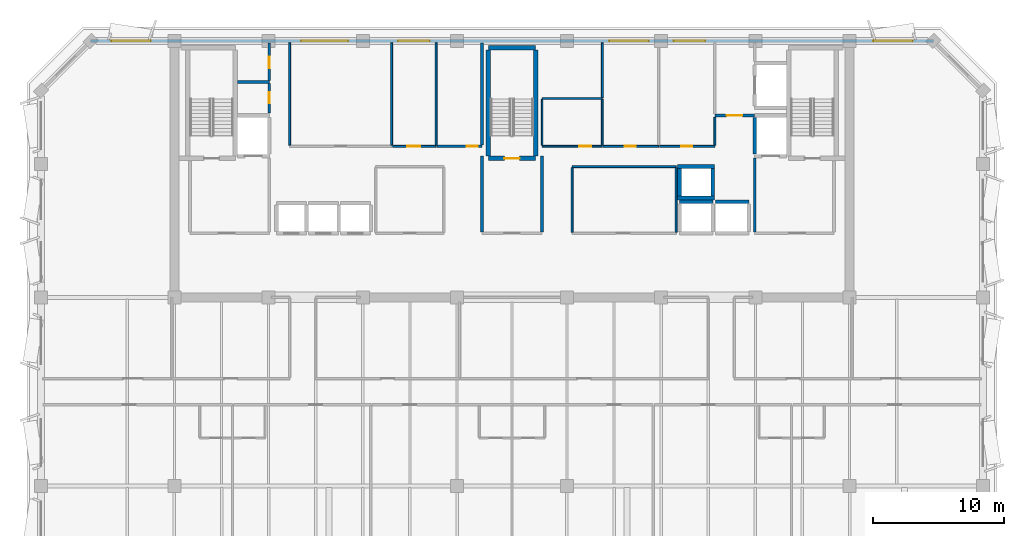
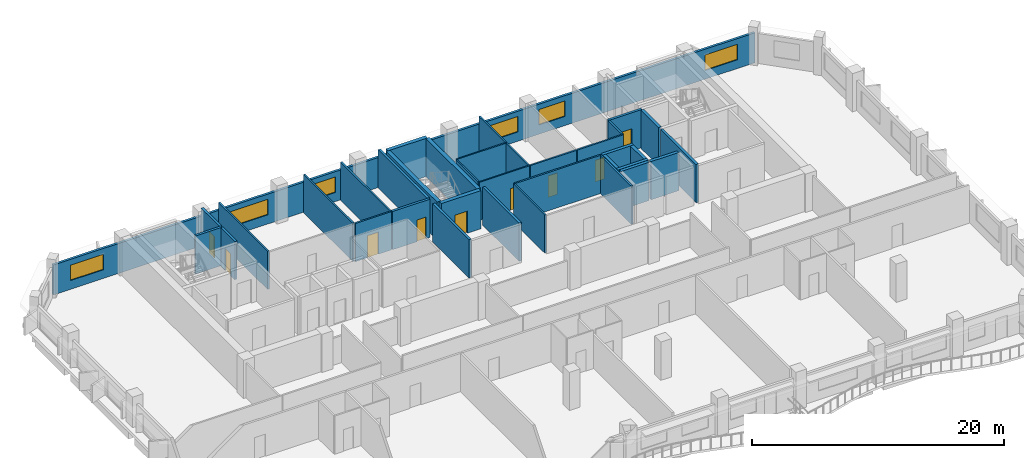
# One storey, part 6 of 11: 36 walls, 9 doors, 6 windows, 15 openings.
"""IFC4 building model written with IfcOpenShell, lengths in metres."""

import ifcopenshell
import ifcopenshell.guid

model = None  # the IFC model being written
_history = None  # IfcOwnerHistory: only IFC2X3 demands one
_inside = {}  # id of a spatial element -> (the spatial element, [elements in it])
_under = {}  # id of a project, library or spatial element -> (it, [spatial elements below it])
_declared = {}  # id of a project -> (the project, [libraries it declares])
_typed = {}  # id of a type object -> (the type object, [elements of that type])
_made_of = {}  # id of a material, layer set ... -> (it, [elements and type objects made of it])


def new_model(schema):
    """Start an empty IFC model of exactly this schema.

    Asked for "IFC4X3", IfcOpenShell would pick the latest addendum, in which some entities
    have other attributes; the version numbers below select the first issue.
    IFC2X3 requires an IfcOwnerHistory on every rooted entity: one is made here for all.
    """
    global model, _history
    if schema == "IFC4X3":
        model = ifcopenshell.file(schema_version=(4, 3, 0, 0))
    else:
        model = ifcopenshell.file(schema=schema)
    _inside.clear()
    _under.clear()
    _declared.clear()
    _typed.clear()
    _made_of.clear()
    _history = None
    if model.schema == "IFC2X3":
        org = make("IfcOrganization", Name="unknown")
        user = make(
            "IfcPersonAndOrganization",
            ThePerson=make("IfcPerson", FamilyName="unknown"),
            TheOrganization=org,
        )
        app = make(
            "IfcApplication",
            ApplicationDeveloper=org,
            Version="unknown",
            ApplicationFullName="unknown",
            ApplicationIdentifier="unknown",
        )
        _history = make(
            "IfcOwnerHistory",
            OwningUser=user,
            OwningApplication=app,
            ChangeAction="ADDED",
            CreationDate=0,
        )
    return model


def make(cls, **values):
    """One entity of the class cls with the attributes given. An attribute that is None is left unset."""
    return model.create_entity(
        cls, **{name: value for name, value in values.items() if value is not None}
    )


def rooted(cls, **values):
    """An entity with a GlobalId (a new one), such as an element, a storey or a relation."""
    return make(cls, GlobalId=ifcopenshell.guid.new(), OwnerHistory=_history, **values)


def si_unit(unit_type, name, prefix=None):
    """IfcSIUnit, for example si_unit("LENGTHUNIT", "METRE", prefix="MILLI")."""
    return make("IfcSIUnit", UnitType=unit_type, Prefix=prefix, Name=name)


def assignment(units):
    """IfcUnitAssignment: the units of a project."""
    return None if units is None else make("IfcUnitAssignment", Units=units)


def point(xyz):
    """IfcCartesianPoint."""
    return None if xyz is None else make("IfcCartesianPoint", Coordinates=xyz)


def direction(xyz):
    """IfcDirection."""
    return None if xyz is None else make("IfcDirection", DirectionRatios=xyz)


def frame(location, z_axis=None, x_axis=None):
    """IfcAxis2Placement3D, a coordinate frame: its origin and axes. An axis left out is left unset."""
    return make(
        "IfcAxis2Placement3D",
        Location=point(location),
        Axis=direction(z_axis),
        RefDirection=direction(x_axis),
    )


def frame_2d(location, x_axis=None):
    """IfcAxis2Placement2D, a coordinate frame in the plane: its origin and x axis."""
    return make(
        "IfcAxis2Placement2D", Location=point(location), RefDirection=direction(x_axis)
    )


def origin():
    """The frame at (0, 0, 0) with its axes left unset."""
    return frame((0.0, 0.0, 0.0))


def place(relative_to, where):
    """IfcLocalPlacement: puts the frame where relative to a parent placement (None: the world)."""
    return make(
        "IfcLocalPlacement", PlacementRelTo=relative_to, RelativePlacement=where
    )


def context(
    kind, dimensions, precision=None, world=None, true_north=None, identifier=None
):
    """IfcGeometricRepresentationContext, for example the 3D "Model" context."""
    return make(
        "IfcGeometricRepresentationContext",
        ContextIdentifier=identifier,
        ContextType=kind,
        CoordinateSpaceDimension=dimensions,
        Precision=precision,
        WorldCoordinateSystem=world,
        TrueNorth=true_north,
    )


def subcontext(parent, identifier, kind, view, scale=None):
    """IfcGeometricRepresentationSubContext, for example "Body" below "Model"."""
    return make(
        "IfcGeometricRepresentationSubContext",
        ContextIdentifier=identifier,
        ContextType=kind,
        ParentContext=parent,
        TargetScale=scale,
        TargetView=view,
    )


def project(units=None, contexts=None):
    """IfcProject with its units and contexts."""
    return rooted(
        "IfcProject",
        Name="project",
        RepresentationContexts=contexts,
        UnitsInContext=assignment(units),
    )


def spatial(cls, under=None, at=None, **own):
    """A site, building, storey or space (cls), placed at a placement, below another one or the project."""
    s = rooted(cls, ObjectPlacement=at, **own)
    if under is not None:
        _under.setdefault(under.id(), (under, []))[1].append(s)
    return s


def profile(cls, at=None, kind="AREA", **sizes):
    """A parametric profile (cls). Its sizes go by their IFC names, for example OverallWidth=200.0."""
    return make(cls, ProfileType=kind, Position=at, **sizes)


def rectangle(**sizes):
    """IfcRectangleProfileDef."""
    return profile("IfcRectangleProfileDef", **sizes)


def extrude(swept, where, along, depth):
    """IfcExtrudedAreaSolid: the profile swept, set in the frame where, extruded along a direction by depth."""
    return make(
        "IfcExtrudedAreaSolid",
        SweptArea=swept,
        Position=where,
        ExtrudedDirection=direction(along),
        Depth=depth,
    )


def shape(context_of_items, identifier, shape_type, items):
    """IfcShapeRepresentation: the items that make up one representation, for example the "Body"."""
    return make(
        "IfcShapeRepresentation",
        ContextOfItems=context_of_items,
        RepresentationIdentifier=identifier,
        RepresentationType=shape_type,
        Items=items,
    )


def material(Name=None, Category=None):
    """IfcMaterial."""
    return make("IfcMaterial", Name=Name, Category=Category)


def layer(
    of_material, thickness, ventilated=None, Name=None, Category=None, Priority=None
):
    """IfcMaterialLayer: one layer of a wall or slab, of a material (None: an air gap)."""
    return make(
        "IfcMaterialLayer",
        Material=of_material,
        LayerThickness=thickness,
        IsVentilated=ventilated,
        Name=Name,
        Category=Category,
        Priority=Priority,
    )


def layer_set(layers, Name=None):
    """IfcMaterialLayerSet."""
    return make("IfcMaterialLayerSet", MaterialLayers=layers, LayerSetName=Name)


def made_of(thing, what):
    """Note that an element or type object is made of a material, layer set ...; save() writes the relation."""
    if what is not None:
        _made_of.setdefault(what.id(), (what, []))[1].append(thing)
    return thing


def type_object(cls, material=None, **own):
    """A type object (cls), such as IfcWallType, which elements share."""
    return made_of(rooted(cls, **own), material)


def element(
    cls,
    number,
    at=None,
    inside=None,
    cuts=None,
    type_object=None,
    material=None,
    context=None,
    identifier="Body",
    shape_type=None,
    held_by="IfcProductDefinitionShape",
    body=None,
    shapes=None,
    **own,
):
    """One element of the class cls, such as IfcWall. Its Tag is "e" and its number.

    at: its placement. inside: the storey or other place that contains it. cuts: it is an
    opening in that element (IfcRelVoidsElement). A single representation is given by context,
    identifier, shape_type and body (its items); several are given by shapes. held_by: the class
    of the entity that holds the representations. save() writes the other relations.
    """
    e = rooted(cls, Tag="e%d" % number, ObjectPlacement=at, **own)
    if body is not None:
        shapes = [shape(context, identifier, shape_type, body)]
    if shapes is not None:
        e.Representation = make(held_by, Representations=shapes)
    if inside is not None:
        _inside.setdefault(inside.id(), (inside, []))[1].append(e)
    if cuts is not None:
        rooted(
            "IfcRelVoidsElement", RelatingBuildingElement=cuts, RelatedOpeningElement=e
        )
    if type_object is not None:
        _typed.setdefault(type_object.id(), (type_object, []))[1].append(e)
    return made_of(e, material)


def fill(opening, filler):
    """IfcRelFillsElement: the door or window that sits in an opening."""
    return rooted(
        "IfcRelFillsElement",
        RelatingOpeningElement=opening,
        RelatedBuildingElement=filler,
    )


def aggregate(whole, parts):
    """IfcRelAggregates: a whole, such as a stair, and the parts it consists of."""
    return rooted("IfcRelAggregates", RelatingObject=whole, RelatedObjects=parts)


def save(model, path):
    """Write the relations noted so far, then the file.

    IfcRelAggregates (storeys below a building ...), IfcRelContainedInSpatialStructure (elements
    in a storey), IfcRelDefinesByType, IfcRelAssociatesMaterial and IfcRelDeclares: one each for
    every whole, place, type object, material and project.
    """
    for whole, parts in _under.values():
        aggregate(whole, parts)
    for where, things in _inside.values():
        rooted(
            "IfcRelContainedInSpatialStructure",
            RelatedElements=things,
            RelatingStructure=where,
        )
    for kind, things in _typed.values():
        rooted("IfcRelDefinesByType", RelatedObjects=things, RelatingType=kind)
    for what, things in _made_of.values():
        rooted("IfcRelAssociatesMaterial", RelatedObjects=things, RelatingMaterial=what)
    for by, libraries in _declared.values():
        rooted("IfcRelDeclares", RelatingContext=by, RelatedDefinitions=libraries)
    model.write(path)


model = new_model("IFC4")

# Units and contexts
model_context = context("Model", 3, precision=1e-05, world=origin(), true_north=direction((0.0, 1.0)))
body_context = subcontext(model_context, "Body", "Model", "MODEL_VIEW")
ifc_project = project(units=[si_unit("LENGTHUNIT", "METRE"), si_unit("AREAUNIT", "SQUARE_METRE"), si_unit("VOLUMEUNIT", "CUBIC_METRE"), si_unit("PLANEANGLEUNIT", "RADIAN"), si_unit("MASSUNIT", "GRAM", prefix="KILO")], contexts=[model_context])

# Site, building, storey
site_placement = place(None, origin())
site = spatial("IfcSite", under=ifc_project, at=site_placement, CompositionType="ELEMENT")
building_placement = place(site_placement, origin())
building = spatial("IfcBuilding", under=site, at=building_placement, Name="Kaelvorn Grand Hotel", CompositionType="ELEMENT")
storey_placement = place(building_placement, frame((0.0, 0.0, 256.800048828125)))
storey = spatial("IfcBuildingStorey", under=building, at=storey_placement, Name="L63", CompositionType="ELEMENT", Elevation=256.800048828125)

# Wall, openings, windows
ifc_material_1 = material(Name="Concrete C40/50", Category="concrete")
ifc_layer_1 = layer(ifc_material_1, 0.219970703125)
ifc_layer_set_1 = layer_set([ifc_layer_1], Name="Concrete C40/50")
wall_type_1 = type_object("IfcWallType", Name="WL-EXT-220-C40", PredefinedType="SOLIDWALL", material=ifc_layer_set_1)
wall_1_placement = place(storey_placement, frame((74.199951171875, 49.0, 0.0), z_axis=(0.0, 0.0, 1.0), x_axis=(-1.0, 0.0, 0.0)))
wall_1 = element("IfcWall", 1, at=wall_1_placement, inside=storey, type_object=wall_type_1, Name="L63 Exterior Architectural Concrete Wall 05", PredefinedType="SOLIDWALL", context=body_context, shape_type="SweptSolid", body=[
    extrude(rectangle(XDim=64.39990234375, YDim=0.219970703125, at=frame_2d((32.199951171875, 0.0))), origin(), (0.0, 0.0, 1.0), 2.909912109375),
])
opening_1_placement = place(wall_1_placement, frame((59.81494140625, 0.0, 0.85009765625)))
opening_1 = element("IfcOpeningElement", 2, at=opening_1_placement, cuts=wall_1, Name="Opening W5", PredefinedType="OPENING", context=body_context, shape_type="SweptSolid", body=[
    extrude(rectangle(XDim=3.0, YDim=1.5, at=frame_2d((1.5, 0.75))), frame((0.0, 0.1201171875, 0.0), z_axis=(0.0, -1.0, 0.0), x_axis=(1.0, 0.0, 0.0)), (0.0, 0.0, 1.0), 0.239990234375),
])
opening_2_placement = place(wall_1_placement, frame((1.5849609375, 0.0, 0.85009765625)))
opening_2 = element("IfcOpeningElement", 3, at=opening_2_placement, cuts=wall_1, Name="Opening W5", PredefinedType="OPENING", context=body_context, shape_type="SweptSolid", body=[
    extrude(rectangle(XDim=3.0, YDim=1.5, at=frame_2d((1.5, 0.75))), frame((0.0, 0.1201171875, 0.0), z_axis=(0.0, -1.0, 0.0), x_axis=(1.0, 0.0, 0.0)), (0.0, 0.0, 1.0), 0.239990234375),
])
opening_3_placement = place(wall_1_placement, frame((44.715087890625, 0.0, 0.89990234375)))
opening_3 = element("IfcOpeningElement", 4, at=opening_3_placement, cuts=wall_1, Name="Opening W3", PredefinedType="OPENING", context=body_context, shape_type="SweptSolid", body=[
    extrude(rectangle(XDim=3.60009765625, YDim=1.5, at=frame_2d((1.800048828125, 0.75))), frame((0.0, 0.1201171875, 0.0), z_axis=(0.0, -1.0, 0.0), x_axis=(1.0, 0.0, 0.0)), (0.0, 0.0, 1.0), 0.239990234375),
])
opening_4_placement = place(wall_1_placement, frame((38.5, 0.0, 0.89990234375)))
opening_4 = element("IfcOpeningElement", 5, at=opening_4_placement, cuts=wall_1, Name="Opening W6", PredefinedType="OPENING", context=body_context, shape_type="SweptSolid", body=[
    extrude(rectangle(XDim=2.39990234375, YDim=1.5, at=frame_2d((1.199951171875, 0.75))), frame((0.0, 0.1201171875, 0.0), z_axis=(0.0, -1.0, 0.0), x_axis=(1.0, 0.0, 0.0)), (0.0, 0.0, 1.0), 0.239990234375),
])
opening_5_placement = place(wall_1_placement, frame((21.75, 0.0, 0.89990234375)))
opening_5 = element("IfcOpeningElement", 6, at=opening_5_placement, cuts=wall_1, Name="Opening W5", PredefinedType="OPENING", context=body_context, shape_type="SweptSolid", body=[
    extrude(rectangle(XDim=3.0, YDim=1.5, at=frame_2d((1.5, 0.75))), frame((0.0, 0.1201171875, 0.0), z_axis=(0.0, -1.0, 0.0), x_axis=(1.0, 0.0, 0.0)), (0.0, 0.0, 1.0), 0.239990234375),
])
opening_6_placement = place(wall_1_placement, frame((17.43505859375, 0.0, 0.89990234375)))
opening_6 = element("IfcOpeningElement", 7, at=opening_6_placement, cuts=wall_1, Name="Opening W6", PredefinedType="OPENING", context=body_context, shape_type="SweptSolid", body=[
    extrude(rectangle(XDim=2.39990234375, YDim=1.5, at=frame_2d((1.199951171875, 0.75))), frame((0.0, 0.1201171875, 0.0), z_axis=(0.0, -1.0, 0.0), x_axis=(1.0, 0.0, 0.0)), (0.0, 0.0, 1.0), 0.239990234375),
])
ifc_material_2 = material(Name="Laminated Low-E Glass", Category="glass")
window_type_1 = type_object("IfcWindowType", Name="WIN-NTH-2400x1500", PartitioningType="SINGLE_PANEL", PredefinedType="WINDOW", material=ifc_material_2)
window_1_placement = place(opening_4_placement, origin())
window_1 = element("IfcWindow", 8, at=window_1_placement, inside=storey, type_object=window_type_1, Name="L63 North Core Clerestory Ribbon Window NC04", OverallHeight=1.5, OverallWidth=2.39990234375, PartitioningType="SINGLE_PANEL", PredefinedType="WINDOW", context=body_context, shape_type="SweptSolid", body=[
    extrude(rectangle(XDim=2.39990234375, YDim=1.5, at=frame_2d((1.199951171875, 0.75))), frame((0.0, 0.030029296875, 0.0), z_axis=(0.0, -1.0, 0.0), x_axis=(1.0, 0.0, 0.0)), (0.0, 0.0, 1.0), 0.06005859375),
])
fill(opening_4, window_1)
window_2_placement = place(opening_6_placement, origin())
window_2 = element("IfcWindow", 9, at=window_2_placement, inside=storey, type_object=window_type_1, Name="L63 North Core Clerestory Ribbon Window NC06", OverallHeight=1.5, OverallWidth=2.39990234375, PartitioningType="SINGLE_PANEL", PredefinedType="WINDOW", context=body_context, shape_type="SweptSolid", body=[
    extrude(rectangle(XDim=2.39990234375, YDim=1.5, at=frame_2d((1.199951171875, 0.75))), frame((0.0, 0.030029296875, 0.0), z_axis=(0.0, -1.0, 0.0), x_axis=(1.0, 0.0, 0.0)), (0.0, 0.0, 1.0), 0.06005859375),
])
fill(opening_6, window_2)
window_type_2 = type_object("IfcWindowType", Name="WIN-NTH-3000x1500", PartitioningType="SINGLE_PANEL", PredefinedType="WINDOW", material=ifc_material_2)
window_3_placement = place(opening_1_placement, origin())
window_3 = element("IfcWindow", 10, at=window_3_placement, inside=storey, type_object=window_type_2, Name="L63 North Wing Ribbon Window NW01", OverallHeight=1.5, OverallWidth=3.0, PartitioningType="SINGLE_PANEL", PredefinedType="WINDOW", context=body_context, shape_type="SweptSolid", body=[
    extrude(rectangle(XDim=3.0, YDim=1.5, at=frame_2d((1.5, 0.75))), frame((0.0, 0.030029296875, 0.0), z_axis=(0.0, -1.0, 0.0), x_axis=(1.0, 0.0, 0.0)), (0.0, 0.0, 1.0), 0.06005859375),
])
fill(opening_1, window_3)
window_4_placement = place(opening_2_placement, origin())
window_4 = element("IfcWindow", 11, at=window_4_placement, inside=storey, type_object=window_type_2, Name="L63 North Wing Ribbon Window NW02", OverallHeight=1.5, OverallWidth=3.0, PartitioningType="SINGLE_PANEL", PredefinedType="WINDOW", context=body_context, shape_type="SweptSolid", body=[
    extrude(rectangle(XDim=3.0, YDim=1.5, at=frame_2d((1.5, 0.75))), frame((0.0, 0.030029296875, 0.0), z_axis=(0.0, -1.0, 0.0), x_axis=(1.0, 0.0, 0.0)), (0.0, 0.0, 1.0), 0.06005859375),
])
fill(opening_2, window_4)
window_5_placement = place(opening_5_placement, origin())
window_5 = element("IfcWindow", 12, at=window_5_placement, inside=storey, type_object=window_type_2, Name="L63 North Core Clerestory Ribbon Window NC05", OverallHeight=1.5, OverallWidth=3.0, PartitioningType="SINGLE_PANEL", PredefinedType="WINDOW", context=body_context, shape_type="SweptSolid", body=[
    extrude(rectangle(XDim=3.0, YDim=1.5, at=frame_2d((1.5, 0.75))), frame((0.0, 0.030029296875, 0.0), z_axis=(0.0, -1.0, 0.0), x_axis=(1.0, 0.0, 0.0)), (0.0, 0.0, 1.0), 0.06005859375),
])
fill(opening_5, window_5)
window_type_3 = type_object("IfcWindowType", Name="WIN-RIB-3600x1750", PartitioningType="SINGLE_PANEL", PredefinedType="WINDOW", material=ifc_material_2)
window_6_placement = place(opening_3_placement, origin())
window_6 = element("IfcWindow", 13, at=window_6_placement, inside=storey, type_object=window_type_3, Name="L63 North Core Clerestory Ribbon Window NC03", OverallHeight=1.5, OverallWidth=3.60009765625, PartitioningType="SINGLE_PANEL", PredefinedType="WINDOW", context=body_context, shape_type="SweptSolid", body=[
    extrude(rectangle(XDim=3.60009765625, YDim=1.5, at=frame_2d((1.800048828125, 0.75))), frame((0.0, 0.030029296875, 0.0), z_axis=(0.0, -1.0, 0.0), x_axis=(1.0, 0.0, 0.0)), (0.0, 0.0, 1.0), 0.06005859375),
])
fill(opening_3, window_6)

# Wall, opening, door
ifc_material_3 = material(Name="Moisture-Resistant Tile & Stud Board")
ifc_layer_2 = layer(ifc_material_3, 0.125)
ifc_layer_set_2 = layer_set([ifc_layer_2], Name="Moisture-Resistant Tile & Stud Board")
wall_type_2 = type_object("IfcWallType", Name="WL-PART-125-WET", PredefinedType="PARTITIONING", material=ifc_layer_set_2)
wall_2_placement = place(storey_placement, frame((44.300048828125, 40.949951171875, 0.0), z_axis=(0.0, 0.0, 1.0), x_axis=(1.0, 0.0, 0.0)))
wall_2 = element("IfcWall", 14, at=wall_2_placement, inside=storey, type_object=wall_type_2, Name="L63 Accessible WC S Partition", PredefinedType="PARTITIONING", context=body_context, shape_type="SweptSolid", body=[
    extrude(rectangle(XDim=4.599853515625, YDim=0.125, at=frame_2d((2.2998046875, 0.0))), origin(), (0.0, 0.0, 1.0), 3.7099609375),
])
opening_7_placement = place(wall_2_placement, frame((2.85009765625, 0.0, 0.0)))
opening_7 = element("IfcOpeningElement", 15, at=opening_7_placement, cuts=wall_2, Name="Opening DI4", PredefinedType="OPENING", context=body_context, shape_type="SweptSolid", body=[
    extrude(rectangle(XDim=0.89990234375, YDim=2.10009765625, at=frame_2d((0.449951171875, 1.050048828125))), frame((0.0, 0.072509765625, 0.0), z_axis=(0.0, -1.0, 0.0), x_axis=(1.0, 0.0, 0.0)), (0.0, 0.0, 1.0), 0.14501953125),
])
ifc_material_4 = material(Name="Timber Veneer Leaf", Category="wood")
door_type_1 = type_object("IfcDoorType", Name="DR-INT-BATH-900x2100", OperationType="NOTDEFINED", PredefinedType="DOOR", material=ifc_material_4)
door_1_placement = place(opening_7_placement, origin())
door_1 = element("IfcDoor", 16, at=door_1_placement, inside=storey, type_object=door_type_1, Name="L63 Accessible WC Door", OperationType="SINGLE_SWING_LEFT", OverallHeight=2.10009765625, OverallWidth=0.89990234375, PredefinedType="DOOR", context=body_context, shape_type="SweptSolid", body=[
    extrude(rectangle(XDim=0.89990234375, YDim=2.10009765625, at=frame_2d((0.449951171875, 1.050048828125))), frame((0.0, 0.02490234375, 0.0), z_axis=(0.0, -1.0, 0.0), x_axis=(1.0, 0.0, 0.0)), (0.0, 0.0, 1.0), 0.050048828125),
])
fill(opening_7, door_1)

# Walls
wall_3_placement = place(storey_placement, frame((44.300048828125, 44.60009765625, 0.0), z_axis=(0.0, 0.0, 1.0), x_axis=(1.0, 0.0, 0.0)))
element("IfcWall", 17, at=wall_3_placement, inside=storey, type_object=wall_type_2, Name="L63 Accessible WC N Partition", PredefinedType="PARTITIONING", context=body_context, shape_type="SweptSolid", body=[
    extrude(rectangle(XDim=4.599853515625, YDim=0.125, at=frame_2d((2.2998046875, 0.0))), origin(), (0.0, 0.0, 1.0), 3.7099609375),
])
for number, where, z_axis, x_axis, name in (
    (18, (44.300048828125, 41.017578125, 0.0), (0.0, 0.0, 1.0), (0.0, 1.0, 0.0), "L63 Accessible WC W Partition"),
    (19, (48.89990234375, 41.017578125, 0.0), (0.0, 0.0, 1.0), (0.0, 1.0, 0.0), "L63 Accessible WC E Partition"),
):
    element("IfcWall", number, at=place(storey_placement, frame(where, z_axis=z_axis, x_axis=x_axis)), inside=storey, type_object=wall_type_2, Name=name, PredefinedType="PARTITIONING", context=body_context, shape_type="SweptSolid", body=[
        extrude(rectangle(XDim=3.514892578125, YDim=0.125, at=frame_2d((1.75732421875, 0.0))), origin(), (0.0, 0.0, 1.0), 3.7099609375),
    ])
ifc_material_5 = material(Name="Acoustic Gypsum & Stud Partition")
ifc_layer_3 = layer(ifc_material_5, 0.14990234375)
ifc_layer_set_3 = layer_set([ifc_layer_3], Name="Acoustic Gypsum & Stud Partition")
wall_type_3 = type_object("IfcWallType", Name="WL-PART-150-EI60", PredefinedType="PARTITIONING", material=ifc_layer_set_3)
wall_4_placement = place(storey_placement, frame((46.60009765625, 39.39990234375, 0.0), z_axis=(0.0, 0.0, 1.0), x_axis=(1.0, 0.0, 0.0)))
element("IfcWall", 20, at=wall_4_placement, inside=storey, type_object=wall_type_3, Name="L63 Sky Concierge & Butler Pantry Lounge N Partition", PredefinedType="PARTITIONING", context=body_context, shape_type="SweptSolid", body=[
    extrude(rectangle(XDim=7.949951171875, YDim=0.14990234375, at=frame_2d((3.97509765625, 0.0))), origin(), (0.0, 0.0, 1.0), 3.7099609375),
])
for number, where, z_axis, x_axis, name in (
    (21, (46.60009765625, 34.3798828125, 0.0), (0.0, 0.0, 1.0), (0.0, 1.0, 0.0), "L63 Sky Concierge & Butler Pantry Lounge W Partition"),
    (22, (54.550048828125, 34.3798828125, 0.0), (0.0, 0.0, 1.0), (0.0, 1.0, 0.0), "L63 Sky Concierge & Butler Pantry Lounge E Partition"),
):
    element("IfcWall", number, at=place(storey_placement, frame(where, z_axis=z_axis, x_axis=x_axis)), inside=storey, type_object=wall_type_3, Name=name, PredefinedType="PARTITIONING", context=body_context, shape_type="SweptSolid", body=[
        extrude(rectangle(XDim=4.940185546875, YDim=0.14990234375, at=frame_2d((2.47021484375, 0.0))), origin(), (0.0, 0.0, 1.0), 3.7099609375),
    ])
for number, where, z_axis, x_axis, name in (
    (23, (25.0, 41.030029296875, 0.0), (0.0, 0.0, 1.0), (0.0, 1.0, 0.0), "L63 Housekeeping & Linen Room W Partition"),
    (24, (32.800048828125, 41.030029296875, 0.0), (0.0, 0.0, 1.0), (0.0, 1.0, 0.0), "L63 Housekeeping & Linen Room E Partition"),
):
    element("IfcWall", number, at=place(storey_placement, frame(where, z_axis=z_axis, x_axis=x_axis)), inside=storey, type_object=wall_type_3, Name=name, PredefinedType="PARTITIONING", context=body_context, shape_type="SweptSolid", body=[
        extrude(rectangle(XDim=7.820068359375, YDim=0.14990234375, at=frame_2d((3.91015625, 0.0))), origin(), (0.0, 0.0, 1.0), 3.7099609375),
    ])

# Wall, opening, door
wall_5_placement = place(storey_placement, frame((32.8798828125, 40.949951171875, 0.0), z_axis=(0.0, 0.0, 1.0), x_axis=(1.0, 0.0, 0.0)))
wall_5 = element("IfcWall", 25, at=wall_5_placement, inside=storey, type_object=wall_type_3, Name="L63 Floor Butler Tea Point S Partition", PredefinedType="PARTITIONING", context=body_context, shape_type="SweptSolid", body=[
    extrude(rectangle(XDim=3.320068359375, YDim=0.14990234375, at=frame_2d((1.66015625, 0.0))), origin(), (0.0, 0.0, 1.0), 3.7099609375),
])
opening_8_placement = place(wall_5_placement, frame((1.1201171875, 0.0, 0.0)))
opening_8 = element("IfcOpeningElement", 26, at=opening_8_placement, cuts=wall_5, Name="Opening DI3", PredefinedType="OPENING", context=body_context, shape_type="SweptSolid", body=[
    extrude(rectangle(XDim=1.0, YDim=2.14990234375, at=frame_2d((0.5, 1.074951171875))), frame((0.0, 0.0849609375, 0.0), z_axis=(0.0, -1.0, 0.0), x_axis=(1.0, 0.0, 0.0)), (0.0, 0.0, 1.0), 0.169921875),
])
ifc_material_6 = material(Name="Timber Veneer Fire Leaf", Category="wood")
door_type_2 = type_object("IfcDoorType", Name="DR-INT-GUEST-1000x2150", OperationType="NOTDEFINED", PredefinedType="DOOR", material=ifc_material_6)
door_2_placement = place(opening_8_placement, origin())
door_2 = element("IfcDoor", 27, at=door_2_placement, inside=storey, type_object=door_type_2, Name="L63 Floor Butler Tea Point Door", OperationType="SINGLE_SWING_LEFT", OverallHeight=2.14990234375, OverallWidth=1.0, PredefinedType="DOOR", context=body_context, shape_type="SweptSolid", body=[
    extrude(rectangle(XDim=1.0, YDim=2.14990234375, at=frame_2d((0.5, 1.074951171875))), frame((0.0, 0.02490234375, 0.0), z_axis=(0.0, -1.0, 0.0), x_axis=(1.0, 0.0, 0.0)), (0.0, 0.0, 1.0), 0.050048828125),
])
fill(opening_8, door_2)

# Wall
wall_6_placement = place(storey_placement, frame((36.199951171875, 41.030029296875, 0.0), z_axis=(0.0, 0.0, 1.0), x_axis=(0.0, 1.0, 0.0)))
element("IfcWall", 28, at=wall_6_placement, inside=storey, type_object=wall_type_3, Name="L63 Floor Butler Tea Point E Partition", PredefinedType="PARTITIONING", context=body_context, shape_type="SweptSolid", body=[
    extrude(rectangle(XDim=7.820068359375, YDim=0.14990234375, at=frame_2d((3.91015625, 0.0))), origin(), (0.0, 0.0, 1.0), 3.7099609375),
])

# Wall, opening, door
wall_7_placement = place(storey_placement, frame((48.967529296875, 40.949951171875, 0.0), z_axis=(0.0, 0.0, 1.0), x_axis=(1.0, 0.0, 0.0)))
wall_7 = element("IfcWall", 29, at=wall_7_placement, inside=storey, type_object=wall_type_3, Name="L63 Minibar & Glassware Store S Partition", PredefinedType="PARTITIONING", context=body_context, shape_type="SweptSolid", body=[
    extrude(rectangle(XDim=4.232421875, YDim=0.14990234375, at=frame_2d((2.1162109375, 0.0))), origin(), (0.0, 0.0, 1.0), 3.7099609375),
])
opening_9_placement = place(wall_7_placement, frame((1.657470703125, 0.0, 0.0)))
opening_9 = element("IfcOpeningElement", 30, at=opening_9_placement, cuts=wall_7, Name="Opening DI7", PredefinedType="OPENING", context=body_context, shape_type="SweptSolid", body=[
    extrude(rectangle(XDim=0.85009765625, YDim=2.10009765625, at=frame_2d((0.425048828125, 1.050048828125))), frame((0.0, 0.0849609375, 0.0), z_axis=(0.0, -1.0, 0.0), x_axis=(1.0, 0.0, 0.0)), (0.0, 0.0, 1.0), 0.169921875),
])
ifc_material_7 = material(Name="Powder-Coated Steel Leaf", Category="steel")
door_type_3 = type_object("IfcDoorType", Name="DR-INT-RISER-850x2100", OperationType="NOTDEFINED", PredefinedType="DOOR", material=ifc_material_7)
door_3_placement = place(opening_9_placement, origin())
door_3 = element("IfcDoor", 31, at=door_3_placement, inside=storey, type_object=door_type_3, Name="L63 Minibar & Glassware Store Door", OperationType="SINGLE_SWING_RIGHT", OverallHeight=2.10009765625, OverallWidth=0.85009765625, PredefinedType="DOOR", context=body_context, shape_type="SweptSolid", body=[
    extrude(rectangle(XDim=0.85009765625, YDim=2.10009765625, at=frame_2d((0.425048828125, 1.050048828125))), frame((0.0, 0.02490234375, 0.0), z_axis=(0.0, -1.0, 0.0), x_axis=(1.0, 0.0, 0.0)), (0.0, 0.0, 1.0), 0.050048828125),
])
fill(opening_9, door_3)

# Wall
wall_8_placement = place(storey_placement, frame((48.89990234375, 44.66748046875, 0.0), z_axis=(0.0, 0.0, 1.0), x_axis=(0.0, 1.0, 0.0)))
element("IfcWall", 32, at=wall_8_placement, inside=storey, type_object=wall_type_3, Name="L63 Minibar & Glassware Store W Partition", PredefinedType="PARTITIONING", context=body_context, shape_type="SweptSolid", body=[
    extrude(rectangle(XDim=4.1826171875, YDim=0.14990234375, at=frame_2d((2.09130859375, 0.0))), origin(), (0.0, 0.0, 1.0), 3.7099609375),
])

# Wall, opening, door
wall_9_placement = place(storey_placement, frame((53.280029296875, 40.949951171875, 0.0), z_axis=(0.0, 0.0, 1.0), x_axis=(1.0, 0.0, 0.0)))
wall_9 = element("IfcWall", 33, at=wall_9_placement, inside=storey, type_object=wall_type_3, Name="L63 Floor IT & Comms Room S Partition", PredefinedType="PARTITIONING", context=body_context, shape_type="SweptSolid", body=[
    extrude(rectangle(XDim=4.219970703125, YDim=0.14990234375, at=frame_2d((2.10986328125, 0.0))), origin(), (0.0, 0.0, 1.0), 3.7099609375),
])
opening_10_placement = place(wall_9_placement, frame((1.64501953125, 0.0, 0.0)))
opening_10 = element("IfcOpeningElement", 34, at=opening_10_placement, cuts=wall_9, Name="Opening DI7", PredefinedType="OPENING", context=body_context, shape_type="SweptSolid", body=[
    extrude(rectangle(XDim=0.85009765625, YDim=2.10009765625, at=frame_2d((0.425048828125, 1.050048828125))), frame((0.0, 0.0849609375, 0.0), z_axis=(0.0, -1.0, 0.0), x_axis=(1.0, 0.0, 0.0)), (0.0, 0.0, 1.0), 0.169921875),
])
door_4_placement = place(opening_10_placement, origin())
door_4 = element("IfcDoor", 35, at=door_4_placement, inside=storey, type_object=door_type_3, Name="L63 Floor IT & Comms Room Door", OperationType="SINGLE_SWING_LEFT", OverallHeight=2.10009765625, OverallWidth=0.85009765625, PredefinedType="DOOR", context=body_context, shape_type="SweptSolid", body=[
    extrude(rectangle(XDim=0.85009765625, YDim=2.10009765625, at=frame_2d((0.425048828125, 1.050048828125))), frame((0.0, 0.02490234375, 0.0), z_axis=(0.0, -1.0, 0.0), x_axis=(1.0, 0.0, 0.0)), (0.0, 0.0, 1.0), 0.050048828125),
])
fill(opening_10, door_4)

# Walls
wall_10_placement = place(storey_placement, frame((57.5, 41.030029296875, 0.0), z_axis=(0.0, 0.0, 1.0), x_axis=(0.0, 1.0, 0.0)))
element("IfcWall", 36, at=wall_10_placement, inside=storey, type_object=wall_type_3, Name="L63 Floor IT & Comms Room E Partition", PredefinedType="PARTITIONING", context=body_context, shape_type="SweptSolid", body=[
    extrude(rectangle(XDim=2.155029296875, YDim=0.14990234375, at=frame_2d((1.07763671875, 0.0))), origin(), (0.0, 0.0, 1.0), 3.7099609375),
])
ifc_layer_4 = layer(ifc_material_1, 0.219970703125)
ifc_layer_set_4 = layer_set([ifc_layer_4], Name="Concrete C40/50")
wall_type_4 = type_object("IfcWallType", Name="WL-PART-220-EI120", PredefinedType="PARTITIONING", material=ifc_layer_set_4)
wall_11_placement = place(storey_placement, frame((60.550048828125, 34.4150390625, 0.0), z_axis=(0.0, 0.0, 1.0), x_axis=(0.0, 1.0, 0.0)))
element("IfcWall", 37, at=wall_11_placement, inside=storey, type_object=wall_type_4, Name="L63 Firefighting Lift Lobby 2 W Partition", PredefinedType="PARTITIONING", context=body_context, shape_type="SweptSolid", body=[
    extrude(rectangle(XDim=5.639892578125, YDim=0.219970703125, at=frame_2d((2.81982421875, 0.0))), origin(), (0.0, 0.0, 1.0), 3.7099609375),
])
for number, where, z_axis, x_axis, name in (
    (38, (39.699951171875, 34.4150390625, 0.0), (0.0, 0.0, 1.0), (0.0, 1.0, 0.0), "L63 Central Stair Escape Vestibule W Partition"),
    (39, (44.300048828125, 34.4150390625, 0.0), (0.0, 0.0, 1.0), (0.0, 1.0, 0.0), "L63 Central Stair Escape Vestibule E Partition"),
):
    element("IfcWall", number, at=place(storey_placement, frame(where, z_axis=z_axis, x_axis=x_axis)), inside=storey, type_object=wall_type_4, Name=name, PredefinedType="PARTITIONING", context=body_context, shape_type="SweptSolid", body=[
        extrude(rectangle(XDim=5.784912109375, YDim=0.219970703125, at=frame_2d((2.892578125, 0.0))), origin(), (0.0, 0.0, 1.0), 3.7099609375),
    ])

# Wall, opening, door
wall_12_placement = place(storey_placement, frame((57.5, 43.300048828125, 0.0), z_axis=(0.0, 0.0, 1.0), x_axis=(1.0, 0.0, 0.0)))
wall_12 = element("IfcWall", 40, at=wall_12_placement, inside=storey, type_object=wall_type_4, Name="L63 Service Lift Lobby S Partition", PredefinedType="PARTITIONING", context=body_context, shape_type="SweptSolid", body=[
    extrude(rectangle(XDim=3.0400390625, YDim=0.219970703125, at=frame_2d((1.52001953125, 0.0))), origin(), (0.0, 0.0, 1.0), 3.7099609375),
])
opening_11_placement = place(wall_12_placement, frame((0.89990234375, 0.0, 0.0)))
opening_11 = element("IfcOpeningElement", 41, at=opening_11_placement, cuts=wall_12, Name="Opening DI2", PredefinedType="OPENING", context=body_context, shape_type="SweptSolid", body=[
    extrude(rectangle(XDim=1.199951171875, YDim=2.14990234375, at=frame_2d((0.60009765625, 1.074951171875))), frame((0.0, 0.1201171875, 0.0), z_axis=(0.0, -1.0, 0.0), x_axis=(1.0, 0.0, 0.0)), (0.0, 0.0, 1.0), 0.239990234375),
])
door_type_4 = type_object("IfcDoorType", Name="DR-INT-FFLOB-1200x2150", OperationType="NOTDEFINED", PredefinedType="DOOR", material=ifc_material_6)
door_5_placement = place(opening_11_placement, origin())
door_5 = element("IfcDoor", 42, at=door_5_placement, inside=storey, type_object=door_type_4, Name="L63 Service Lift Lobby Door", OperationType="SINGLE_SWING_LEFT", OverallHeight=2.14990234375, OverallWidth=1.199951171875, PredefinedType="DOOR", context=body_context, shape_type="SweptSolid", body=[
    extrude(rectangle(XDim=1.199951171875, YDim=2.14990234375, at=frame_2d((0.60009765625, 1.074951171875))), frame((0.0, 0.02490234375, 0.0), z_axis=(0.0, -1.0, 0.0), x_axis=(1.0, 0.0, 0.0)), (0.0, 0.0, 1.0), 0.050048828125),
])
fill(opening_11, door_5)

# Wall
wall_13_placement = place(storey_placement, frame((21.034912109375, 45.85009765625, 0.0), z_axis=(0.0, 0.0, 1.0), x_axis=(1.0, 0.0, 0.0)))
element("IfcWall", 43, at=wall_13_placement, inside=storey, type_object=wall_type_4, Name="L63 Wet Fire & Plumbing Riser Shaft N Partition", PredefinedType="PARTITIONING", context=body_context, shape_type="SweptSolid", body=[
    extrude(rectangle(XDim=2.4150390625, YDim=0.219970703125, at=frame_2d((1.20751953125, 0.0))), origin(), (0.0, 0.0, 1.0), 3.7099609375),
])

# Wall, opening, door
wall_14_placement = place(storey_placement, frame((23.449951171875, 43.5, 0.0), z_axis=(0.0, 0.0, 1.0), x_axis=(0.0, 1.0, 0.0)))
wall_14 = element("IfcWall", 44, at=wall_14_placement, inside=storey, type_object=wall_type_4, Name="L63 Wet Fire & Plumbing Riser Shaft E Partition", PredefinedType="PARTITIONING", context=body_context, shape_type="SweptSolid", body=[
    extrude(rectangle(XDim=2.235107421875, YDim=0.219970703125, at=frame_2d((1.11767578125, 0.0))), origin(), (0.0, 0.0, 1.0), 3.7099609375),
])
opening_12_placement = place(wall_14_placement, frame((0.72509765625, 0.0, 0.0)))
opening_12 = element("IfcOpeningElement", 45, at=opening_12_placement, cuts=wall_14, Name="Opening DI7", PredefinedType="OPENING", context=body_context, shape_type="SweptSolid", body=[
    extrude(rectangle(XDim=0.85009765625, YDim=2.10009765625, at=frame_2d((0.425048828125, 1.050048828125))), frame((0.0, 0.1201171875, 0.0), z_axis=(0.0, -1.0, 0.0), x_axis=(1.0, 0.0, 0.0)), (0.0, 0.0, 1.0), 0.239990234375),
])
door_6_placement = place(opening_12_placement, origin())
door_6 = element("IfcDoor", 46, at=door_6_placement, inside=storey, type_object=door_type_3, Name="L63 Wet Fire & Plumbing Riser Shaft Door", OperationType="SINGLE_SWING_RIGHT", OverallHeight=2.10009765625, OverallWidth=0.85009765625, PredefinedType="DOOR", context=body_context, shape_type="SweptSolid", body=[
    extrude(rectangle(XDim=0.85009765625, YDim=2.10009765625, at=frame_2d((0.425048828125, 1.050048828125))), frame((0.0, 0.02490234375, 0.0), z_axis=(0.0, -1.0, 0.0), x_axis=(1.0, 0.0, 0.0)), (0.0, 0.0, 1.0), 0.050048828125),
])
fill(opening_12, door_6)

wall_15_placement = place(storey_placement, frame((23.449951171875, 45.965087890625, 0.0), z_axis=(0.0, 0.0, 1.0), x_axis=(0.0, 1.0, 0.0)))
wall_15 = element("IfcWall", 47, at=wall_15_placement, inside=storey, type_object=wall_type_4, Name="L63 HV Electrical & Smoke Riser E Partition", PredefinedType="PARTITIONING", context=body_context, shape_type="SweptSolid", body=[
    extrude(rectangle(XDim=2.885009765625, YDim=0.219970703125, at=frame_2d((1.4423828125, 0.0))), origin(), (0.0, 0.0, 1.0), 3.7099609375),
])
opening_13_placement = place(wall_15_placement, frame((0.9599609375, 0.0, 0.0)))
opening_13 = element("IfcOpeningElement", 48, at=opening_13_placement, cuts=wall_15, Name="Opening DI7", PredefinedType="OPENING", context=body_context, shape_type="SweptSolid", body=[
    extrude(rectangle(XDim=0.85009765625, YDim=2.10009765625, at=frame_2d((0.425048828125, 1.050048828125))), frame((0.0, 0.1201171875, 0.0), z_axis=(0.0, -1.0, 0.0), x_axis=(1.0, 0.0, 0.0)), (0.0, 0.0, 1.0), 0.239990234375),
])
door_7_placement = place(opening_13_placement, origin())
door_7 = element("IfcDoor", 49, at=door_7_placement, inside=storey, type_object=door_type_3, Name="L63 HV Electrical & Smoke Riser Door", OperationType="SINGLE_SWING_LEFT", OverallHeight=2.10009765625, OverallWidth=0.85009765625, PredefinedType="DOOR", context=body_context, shape_type="SweptSolid", body=[
    extrude(rectangle(XDim=0.85009765625, YDim=2.10009765625, at=frame_2d((0.425048828125, 1.050048828125))), frame((0.0, 0.02490234375, 0.0), z_axis=(0.0, -1.0, 0.0), x_axis=(1.0, 0.0, 0.0)), (0.0, 0.0, 1.0), 0.050048828125),
])
fill(opening_13, door_7)

wall_16_placement = place(storey_placement, frame((36.280029296875, 40.949951171875, 0.0), z_axis=(0.0, 0.0, 1.0), x_axis=(1.0, 0.0, 0.0)))
wall_16 = element("IfcWall", 50, at=wall_16_placement, inside=storey, type_object=wall_type_4, Name="L63 LV Electrical & Metering Room S Partition", PredefinedType="PARTITIONING", context=body_context, shape_type="SweptSolid", body=[
    extrude(rectangle(XDim=3.419921875, YDim=0.219970703125, at=frame_2d((1.7099609375, 0.0))), origin(), (0.0, 0.0, 1.0), 3.7099609375),
])
opening_14_placement = place(wall_16_placement, frame((2.2451171875, 0.0, 0.0)))
opening_14 = element("IfcOpeningElement", 51, at=opening_14_placement, cuts=wall_16, Name="Opening DI7", PredefinedType="OPENING", context=body_context, shape_type="SweptSolid", body=[
    extrude(rectangle(XDim=0.85009765625, YDim=2.10009765625, at=frame_2d((0.425048828125, 1.050048828125))), frame((0.0, 0.1201171875, 0.0), z_axis=(0.0, -1.0, 0.0), x_axis=(1.0, 0.0, 0.0)), (0.0, 0.0, 1.0), 0.239990234375),
])
door_8_placement = place(opening_14_placement, origin())
door_8 = element("IfcDoor", 52, at=door_8_placement, inside=storey, type_object=door_type_3, Name="L63 LV Electrical & Metering Room Door", OperationType="SINGLE_SWING_RIGHT", OverallHeight=2.10009765625, OverallWidth=0.85009765625, PredefinedType="DOOR", context=body_context, shape_type="SweptSolid", body=[
    extrude(rectangle(XDim=0.85009765625, YDim=2.10009765625, at=frame_2d((0.425048828125, 1.050048828125))), frame((0.0, 0.02490234375, 0.0), z_axis=(0.0, -1.0, 0.0), x_axis=(1.0, 0.0, 0.0)), (0.0, 0.0, 1.0), 0.050048828125),
])
fill(opening_14, door_8)

# Walls
wall_17_placement = place(storey_placement, frame((39.699951171875, 41.06494140625, 0.0), z_axis=(0.0, 0.0, 1.0), x_axis=(0.0, 1.0, 0.0)))
element("IfcWall", 53, at=wall_17_placement, inside=storey, type_object=wall_type_4, Name="L63 LV Electrical & Metering Room E Partition", PredefinedType="PARTITIONING", context=body_context, shape_type="SweptSolid", body=[
    extrude(rectangle(XDim=7.78515625, YDim=0.219970703125, at=frame_2d((3.892578125, 0.0))), origin(), (0.0, 0.0, 1.0), 3.7099609375),
])
ifc_material_8 = material(Name="Concrete C50/60", Category="concrete")
ifc_layer_5 = layer(ifc_material_8, 0.280029296875)
ifc_layer_set_5 = layer_set([ifc_layer_5], Name="Concrete C50/60")
wall_type_5 = type_object("IfcWallType", Name="WL-SHAFT-280-C50", PredefinedType="SHEAR", material=ifc_layer_set_5)
for number, where, z_axis, x_axis, name in (
    (54, (54.800048828125, 36.699951171875, 0.0), (0.0, 0.0, 1.0), (1.0, 0.0, 0.0), "L63 Lift OL-1 Shaft North Wall"),
    (55, (57.550048828125, 36.699951171875, 0.0), (0.0, 0.0, 1.0), (1.0, 0.0, 0.0), "L63 Lift OL-2 Shaft North Wall"),
):
    element("IfcWall", number, at=place(storey_placement, frame(where, z_axis=z_axis, x_axis=x_axis)), inside=storey, type_object=wall_type_5, Name=name, PredefinedType="SHEAR", context=body_context, shape_type="SweptSolid", body=[
        extrude(rectangle(XDim=2.550048828125, YDim=0.280029296875, at=frame_2d((1.27490234375, 0.0))), origin(), (0.0, 0.0, 1.0), 3.7099609375),
    ])
for number, where, z_axis, x_axis, name in (
    (56, (54.659912109375, 37.0, 0.0), (0.0, 0.0, 1.0), (1.0, 0.0, 0.0), "L63 Lift OL-3 Shaft South Wall"),
    (57, (54.659912109375, 39.39990234375, 0.0), (0.0, 0.0, 1.0), (1.0, 0.0, 0.0), "L63 Lift OL-3 Shaft North Wall"),
):
    element("IfcWall", number, at=place(storey_placement, frame(where, z_axis=z_axis, x_axis=x_axis)), inside=storey, type_object=wall_type_5, Name=name, PredefinedType="SHEAR", context=body_context, shape_type="SweptSolid", body=[
        extrude(rectangle(XDim=2.830078125, YDim=0.280029296875, at=frame_2d((1.4150390625, 0.0))), origin(), (0.0, 0.0, 1.0), 3.7099609375),
    ])
for number, where, z_axis, x_axis, name in (
    (58, (54.800048828125, 37.14501953125, 0.0), (0.0, 0.0, 1.0), (0.0, 1.0, 0.0), "L63 Lift OL-3 Shaft West Wall"),
    (59, (57.35009765625, 37.14501953125, 0.0), (0.0, 0.0, 1.0), (0.0, 1.0, 0.0), "L63 Lift OL-3 Shaft East Wall"),
):
    element("IfcWall", number, at=place(storey_placement, frame(where, z_axis=z_axis, x_axis=x_axis)), inside=storey, type_object=wall_type_5, Name=name, PredefinedType="SHEAR", context=body_context, shape_type="SweptSolid", body=[
        extrude(rectangle(XDim=2.10986328125, YDim=0.280029296875, at=frame_2d((1.054931640625, 0.0))), origin(), (0.0, 0.0, 1.0), 3.7099609375),
    ])
wall_18_placement = place(storey_placement, frame((60.550048828125, 40.344970703125, 0.0), z_axis=(0.0, 0.0, 1.0), x_axis=(0.0, 1.0, 0.0)))
element("IfcWall", 60, at=wall_18_placement, inside=storey, type_object=wall_type_5, Name="L63 Lift FFL2 Shaft West Wall", PredefinedType="SHEAR", context=body_context, shape_type="SweptSolid", body=[
    extrude(rectangle(XDim=2.81005859375, YDim=0.280029296875, at=frame_2d((1.405029296875, 0.0))), origin(), (0.0, 0.0, 1.0), 3.7099609375),
])

# Wall, opening, door
ifc_material_9 = material(Name="Concrete C60/75", Category="concrete")
ifc_layer_6 = layer(ifc_material_9, 0.35009765625)
ifc_layer_set_6 = layer_set([ifc_layer_6], Name="Concrete C60/75")
wall_type_6 = type_object("IfcWallType", Name="WL-SHAFT-350-C60", PredefinedType="SHEAR", material=ifc_layer_set_6)
wall_19_placement = place(storey_placement, frame((40.18505859375, 40.02490234375, 0.0), z_axis=(0.0, 0.0, 1.0), x_axis=(1.0, 0.0, 0.0)))
wall_19 = element("IfcWall", 61, at=wall_19_placement, inside=storey, type_object=wall_type_6, Name="L63 ST2 Stair Shaft South Wall", PredefinedType="SHEAR", context=body_context, shape_type="SweptSolid", body=[
    extrude(rectangle(XDim=3.6298828125, YDim=0.35009765625, at=frame_2d((1.81494140625, 0.0))), origin(), (0.0, 0.0, 1.0), 3.7099609375),
])
opening_15_placement = place(wall_19_placement, frame((1.239990234375, 0.0, 0.0)))
opening_15 = element("IfcOpeningElement", 62, at=opening_15_placement, cuts=wall_19, Name="Opening DI1", PredefinedType="OPENING", context=body_context, shape_type="SweptSolid", body=[
    extrude(rectangle(XDim=1.14990234375, YDim=2.14990234375, at=frame_2d((0.574951171875, 1.074951171875))), frame((0.0, 0.18505859375, 0.0), z_axis=(0.0, -1.0, 0.0), x_axis=(1.0, 0.0, 0.0)), (0.0, 0.0, 1.0), 0.3701171875),
])
door_type_5 = type_object("IfcDoorType", Name="DR-INT-STAIR-1150x2150", OperationType="NOTDEFINED", PredefinedType="DOOR", material=ifc_material_6)
door_9_placement = place(opening_15_placement, origin())
door_9 = element("IfcDoor", 63, at=door_9_placement, inside=storey, type_object=door_type_5, Name="L63 ST2 Exit Stair Fire Door", OperationType="SINGLE_SWING_RIGHT", OverallHeight=2.14990234375, OverallWidth=1.14990234375, PredefinedType="DOOR", context=body_context, shape_type="SweptSolid", body=[
    extrude(rectangle(XDim=1.14990234375, YDim=2.14990234375, at=frame_2d((0.574951171875, 1.074951171875))), frame((0.0, 0.02490234375, 0.0), z_axis=(0.0, -1.0, 0.0), x_axis=(1.0, 0.0, 0.0)), (0.0, 0.0, 1.0), 0.050048828125),
])
fill(opening_15, door_9)

# Walls
wall_20_placement = place(storey_placement, frame((40.18505859375, 48.47509765625, 0.0), z_axis=(0.0, 0.0, 1.0), x_axis=(1.0, 0.0, 0.0)))
element("IfcWall", 64, at=wall_20_placement, inside=storey, type_object=wall_type_6, Name="L63 ST2 Stair Shaft North Wall", PredefinedType="SHEAR", context=body_context, shape_type="SweptSolid", body=[
    extrude(rectangle(XDim=3.6298828125, YDim=0.35009765625, at=frame_2d((1.81494140625, 0.0))), origin(), (0.0, 0.0, 1.0), 3.7099609375),
])
for number, where, z_axis, x_axis, name in (
    (65, (40.18505859375, 40.205078125, 0.0), (0.0, 0.0, 1.0), (0.0, 1.0, 0.0), "L63 ST2 Stair Shaft West Wall"),
    (66, (43.81494140625, 40.205078125, 0.0), (0.0, 0.0, 1.0), (0.0, 1.0, 0.0), "L63 ST2 Stair Shaft East Wall"),
):
    element("IfcWall", number, at=place(storey_placement, frame(where, z_axis=z_axis, x_axis=x_axis)), inside=storey, type_object=wall_type_6, Name=name, PredefinedType="SHEAR", context=body_context, shape_type="SweptSolid", body=[
        extrude(rectangle(XDim=8.08984375, YDim=0.35009765625, at=frame_2d((4.044921875, 0.0))), origin(), (0.0, 0.0, 1.0), 3.7099609375),
    ])

save(model, "model.ifc")
